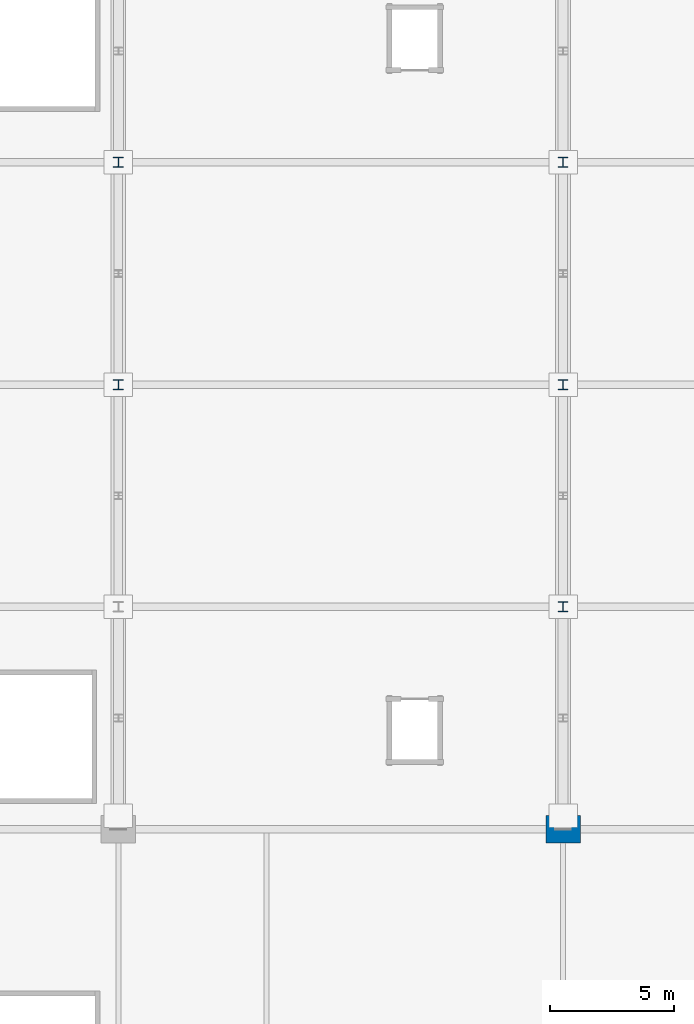
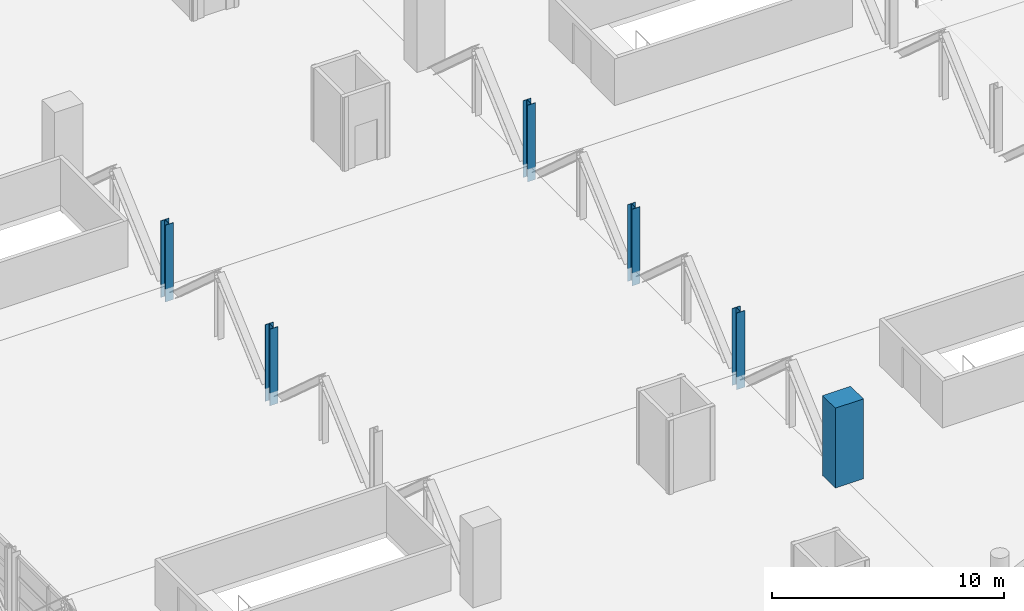
# One storey, part 3 of 136: 6 columns.
"""IFC4 building model written with IfcOpenShell, lengths in metres."""

from ifc_helpers import new_model, si_unit, direction, frame, origin, origin_2d, place, context, subcontext, project, spatial, rectangle, i_section, extrude, material, material_profile, profile_set, type_object, element, save


model = new_model("IFC4")

# Units and contexts
model_context = context("Model", 3, precision=1e-05, world=origin(), true_north=direction((0.0, 1.0)))
body_context = subcontext(model_context, "Body", "Model", "MODEL_VIEW")
ifc_project = project(units=[si_unit("LENGTHUNIT", "METRE"), si_unit("AREAUNIT", "SQUARE_METRE"), si_unit("VOLUMEUNIT", "CUBIC_METRE"), si_unit("PLANEANGLEUNIT", "RADIAN"), si_unit("MASSUNIT", "GRAM", prefix="KILO")], contexts=[model_context])

# Site, building, storey
site_placement = place(None, origin())
site = spatial("IfcSite", under=ifc_project, at=site_placement, CompositionType="ELEMENT")
building_placement = place(site_placement, origin())
building = spatial("IfcBuilding", under=site, at=building_placement, Name="Chuanluo Vaults Station", CompositionType="ELEMENT")
storey_placement = place(building_placement, frame((0.0, 0.0, 6.60009765625)))
storey = spatial("IfcBuildingStorey", under=building, at=storey_placement, Name="L01", CompositionType="ELEMENT", Elevation=6.60009765625)

# Columns
ifc_material_1 = material(Name="Concrete C50", Category="concrete")
ifc_material_profile_1 = material_profile(ifc_material_1, rectangle(XDim=1.39990234375, YDim=1.10009765625, at=origin_2d()))
ifc_profile_set_1 = profile_set([ifc_material_profile_1], Name="Concrete C50")
column_type_1 = type_object("IfcColumnType", Name="COL-SRC-1400x1100", PredefinedType="COLUMN", material=ifc_profile_set_1)
column_placement = place(storey_placement, frame((54.0, 67.5, 0.0), z_axis=(0.0, 0.0, 1.0), x_axis=(1.0, 0.0, 0.0)))
element("IfcColumn", 1, at=column_placement, inside=storey, type_object=column_type_1, Name="Column L01-040", PredefinedType="COLUMN", context=body_context, shape_type="SweptSolid", body=[
    extrude(rectangle(XDim=1.39990234375, YDim=1.10009765625, at=origin_2d()), origin(), (0.0, 0.0, 1.0), 4.199951171875),
])
ifc_material_2 = material(Name="Steel Q355C", Category="steel")
ifc_material_profile_2 = material_profile(ifc_material_2, i_section(OverallWidth=0.39990234375, OverallDepth=0.407958984375, WebThickness=0.02099609375, FlangeThickness=0.02099609375, FilletRadius=0.02197265625, at=origin_2d()))
ifc_profile_set_2 = profile_set([ifc_material_profile_2], Name="Steel Q355C")
column_type_2 = type_object("IfcColumnType", Name="COL-STL-HW408", PredefinedType="COLUMN", material=ifc_profile_set_2)
for number, where, z_axis, x_axis, name in (
    (2, (36.0, 85.5, -0.68017578125), (0.0, 0.0, 1.0), (1.0, 0.0, 0.0), "Transfer truss TT-3 vertical column post 85"),
    (3, (36.0, 94.5, -0.68017578125), (0.0, 0.0, 1.0), (1.0, 0.0, 0.0), "Transfer truss TT-3 vertical column post 94"),
    (4, (54.0, 76.5, -0.68017578125), (0.0, 0.0, 1.0), (1.0, 0.0, 0.0), "Transfer truss TT-4 vertical column post 76"),
    (5, (54.0, 85.5, -0.68017578125), (0.0, 0.0, 1.0), (1.0, 0.0, 0.0), "Transfer truss TT-4 vertical column post 85"),
    (6, (54.0, 94.5, -0.68017578125), (0.0, 0.0, 1.0), (1.0, 0.0, 0.0), "Transfer truss TT-4 vertical column post 94"),
):
    element("IfcColumn", number, at=place(storey_placement, frame(where, z_axis=z_axis, x_axis=x_axis)), inside=storey, type_object=column_type_2, Name=name, PredefinedType="COLUMN", context=body_context, shape_type="SweptSolid", body=[
        extrude(i_section(OverallWidth=0.39990234375, OverallDepth=0.407958984375, WebThickness=0.02099609375, FlangeThickness=0.02099609375, FilletRadius=0.02197265625, at=origin_2d()), origin(), (0.0, 0.0, 1.0), 4.030029296875),
    ])

save(model, "model.ifc")
